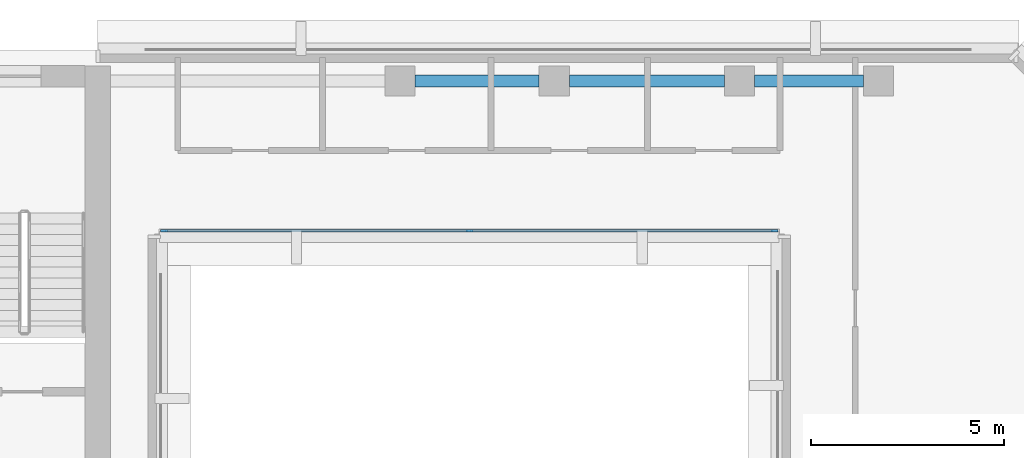
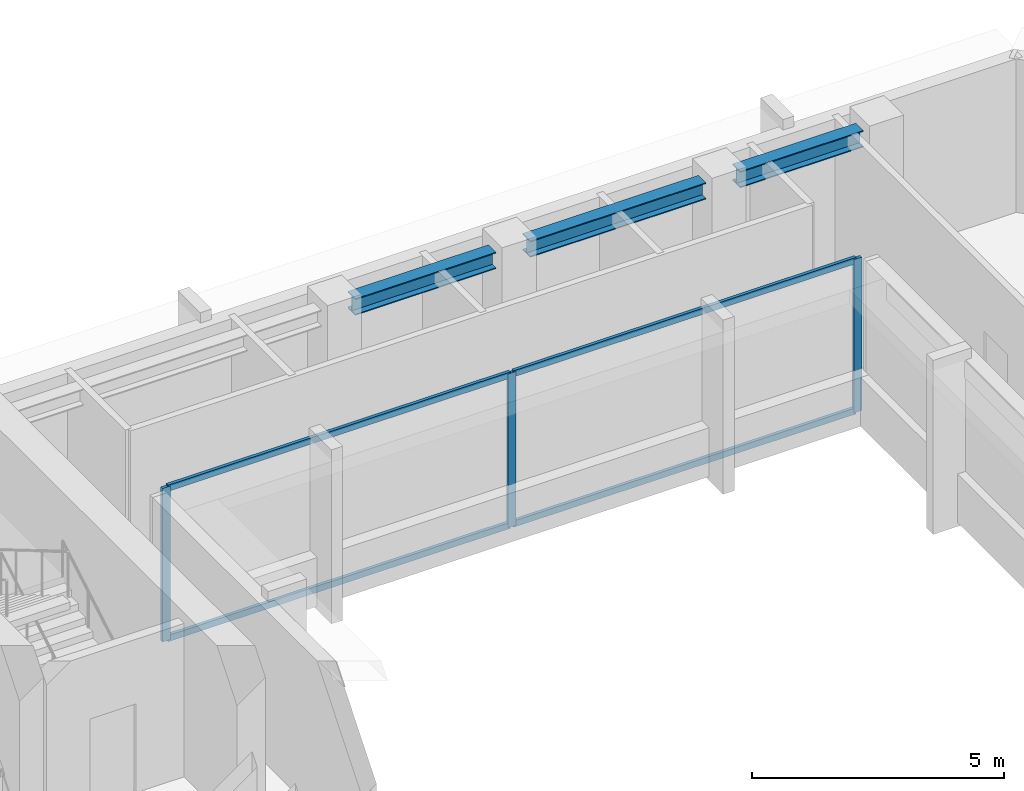
# One storey, part 4 of 12: 7 members, 3 beams, 1 element without a shape of its own.
"""IFC4 building model written with IfcOpenShell, lengths in metres."""

import ifcopenshell
import ifcopenshell.guid

model = None  # the IFC model being written
_history = None  # IfcOwnerHistory: only IFC2X3 demands one
_inside = {}  # id of a spatial element -> (the spatial element, [elements in it])
_under = {}  # id of a project, library or spatial element -> (it, [spatial elements below it])
_declared = {}  # id of a project -> (the project, [libraries it declares])
_typed = {}  # id of a type object -> (the type object, [elements of that type])
_made_of = {}  # id of a material, layer set ... -> (it, [elements and type objects made of it])


def new_model(schema):
    """Start an empty IFC model of exactly this schema.

    Asked for "IFC4X3", IfcOpenShell would pick the latest addendum, in which some entities
    have other attributes; the version numbers below select the first issue.
    IFC2X3 requires an IfcOwnerHistory on every rooted entity: one is made here for all.
    """
    global model, _history
    if schema == "IFC4X3":
        model = ifcopenshell.file(schema_version=(4, 3, 0, 0))
    else:
        model = ifcopenshell.file(schema=schema)
    _inside.clear()
    _under.clear()
    _declared.clear()
    _typed.clear()
    _made_of.clear()
    _history = None
    if model.schema == "IFC2X3":
        org = make("IfcOrganization", Name="unknown")
        user = make(
            "IfcPersonAndOrganization",
            ThePerson=make("IfcPerson", FamilyName="unknown"),
            TheOrganization=org,
        )
        app = make(
            "IfcApplication",
            ApplicationDeveloper=org,
            Version="unknown",
            ApplicationFullName="unknown",
            ApplicationIdentifier="unknown",
        )
        _history = make(
            "IfcOwnerHistory",
            OwningUser=user,
            OwningApplication=app,
            ChangeAction="ADDED",
            CreationDate=0,
        )
    return model


def make(cls, **values):
    """One entity of the class cls with the attributes given. An attribute that is None is left unset."""
    return model.create_entity(
        cls, **{name: value for name, value in values.items() if value is not None}
    )


def rooted(cls, **values):
    """An entity with a GlobalId (a new one), such as an element, a storey or a relation."""
    return make(cls, GlobalId=ifcopenshell.guid.new(), OwnerHistory=_history, **values)


def si_unit(unit_type, name, prefix=None):
    """IfcSIUnit, for example si_unit("LENGTHUNIT", "METRE", prefix="MILLI")."""
    return make("IfcSIUnit", UnitType=unit_type, Prefix=prefix, Name=name)


def assignment(units):
    """IfcUnitAssignment: the units of a project."""
    return None if units is None else make("IfcUnitAssignment", Units=units)


def point(xyz):
    """IfcCartesianPoint."""
    return None if xyz is None else make("IfcCartesianPoint", Coordinates=xyz)


def direction(xyz):
    """IfcDirection."""
    return None if xyz is None else make("IfcDirection", DirectionRatios=xyz)


def frame(location, z_axis=None, x_axis=None):
    """IfcAxis2Placement3D, a coordinate frame: its origin and axes. An axis left out is left unset."""
    return make(
        "IfcAxis2Placement3D",
        Location=point(location),
        Axis=direction(z_axis),
        RefDirection=direction(x_axis),
    )


def frame_2d(location, x_axis=None):
    """IfcAxis2Placement2D, a coordinate frame in the plane: its origin and x axis."""
    return make(
        "IfcAxis2Placement2D", Location=point(location), RefDirection=direction(x_axis)
    )


def origin():
    """The frame at (0, 0, 0) with its axes left unset."""
    return frame((0.0, 0.0, 0.0))


def origin_2d():
    """The frame at (0, 0) in the plane with its x axis left unset."""
    return frame_2d((0.0, 0.0))


def place(relative_to, where):
    """IfcLocalPlacement: puts the frame where relative to a parent placement (None: the world)."""
    return make(
        "IfcLocalPlacement", PlacementRelTo=relative_to, RelativePlacement=where
    )


def context(
    kind, dimensions, precision=None, world=None, true_north=None, identifier=None
):
    """IfcGeometricRepresentationContext, for example the 3D "Model" context."""
    return make(
        "IfcGeometricRepresentationContext",
        ContextIdentifier=identifier,
        ContextType=kind,
        CoordinateSpaceDimension=dimensions,
        Precision=precision,
        WorldCoordinateSystem=world,
        TrueNorth=true_north,
    )


def subcontext(parent, identifier, kind, view, scale=None):
    """IfcGeometricRepresentationSubContext, for example "Body" below "Model"."""
    return make(
        "IfcGeometricRepresentationSubContext",
        ContextIdentifier=identifier,
        ContextType=kind,
        ParentContext=parent,
        TargetScale=scale,
        TargetView=view,
    )


def project(units=None, contexts=None):
    """IfcProject with its units and contexts."""
    return rooted(
        "IfcProject",
        Name="project",
        RepresentationContexts=contexts,
        UnitsInContext=assignment(units),
    )


def spatial(cls, under=None, at=None, **own):
    """A site, building, storey or space (cls), placed at a placement, below another one or the project."""
    s = rooted(cls, ObjectPlacement=at, **own)
    if under is not None:
        _under.setdefault(under.id(), (under, []))[1].append(s)
    return s


def profile(cls, at=None, kind="AREA", **sizes):
    """A parametric profile (cls). Its sizes go by their IFC names, for example OverallWidth=200.0."""
    return make(cls, ProfileType=kind, Position=at, **sizes)


def rectangle(**sizes):
    """IfcRectangleProfileDef."""
    return profile("IfcRectangleProfileDef", **sizes)


def i_section(**sizes):
    """IfcIShapeProfileDef."""
    return profile("IfcIShapeProfileDef", **sizes)


def extrude(swept, where, along, depth):
    """IfcExtrudedAreaSolid: the profile swept, set in the frame where, extruded along a direction by depth."""
    return make(
        "IfcExtrudedAreaSolid",
        SweptArea=swept,
        Position=where,
        ExtrudedDirection=direction(along),
        Depth=depth,
    )


def shape(context_of_items, identifier, shape_type, items):
    """IfcShapeRepresentation: the items that make up one representation, for example the "Body"."""
    return make(
        "IfcShapeRepresentation",
        ContextOfItems=context_of_items,
        RepresentationIdentifier=identifier,
        RepresentationType=shape_type,
        Items=items,
    )


def material(Name=None, Category=None):
    """IfcMaterial."""
    return make("IfcMaterial", Name=Name, Category=Category)


def layer(
    of_material, thickness, ventilated=None, Name=None, Category=None, Priority=None
):
    """IfcMaterialLayer: one layer of a wall or slab, of a material (None: an air gap)."""
    return make(
        "IfcMaterialLayer",
        Material=of_material,
        LayerThickness=thickness,
        IsVentilated=ventilated,
        Name=Name,
        Category=Category,
        Priority=Priority,
    )


def layer_set(layers, Name=None):
    """IfcMaterialLayerSet."""
    return make("IfcMaterialLayerSet", MaterialLayers=layers, LayerSetName=Name)


def material_profile(
    of_material, cross_section, Name=None, Category=None, Priority=None
):
    """IfcMaterialProfile: a cross section and its material."""
    return make(
        "IfcMaterialProfile",
        Name=Name,
        Material=of_material,
        Profile=cross_section,
        Priority=Priority,
        Category=Category,
    )


def profile_set(profiles, Name=None, composite=None):
    """IfcMaterialProfileSet."""
    return make(
        "IfcMaterialProfileSet",
        Name=Name,
        MaterialProfiles=profiles,
        CompositeProfile=composite,
    )


def made_of(thing, what):
    """Note that an element or type object is made of a material, layer set ...; save() writes the relation."""
    if what is not None:
        _made_of.setdefault(what.id(), (what, []))[1].append(thing)
    return thing


def type_object(cls, material=None, **own):
    """A type object (cls), such as IfcWallType, which elements share."""
    return made_of(rooted(cls, **own), material)


def element(
    cls,
    number,
    at=None,
    inside=None,
    cuts=None,
    type_object=None,
    material=None,
    context=None,
    identifier="Body",
    shape_type=None,
    held_by="IfcProductDefinitionShape",
    body=None,
    shapes=None,
    **own,
):
    """One element of the class cls, such as IfcWall. Its Tag is "e" and its number.

    at: its placement. inside: the storey or other place that contains it. cuts: it is an
    opening in that element (IfcRelVoidsElement). A single representation is given by context,
    identifier, shape_type and body (its items); several are given by shapes. held_by: the class
    of the entity that holds the representations. save() writes the other relations.
    """
    e = rooted(cls, Tag="e%d" % number, ObjectPlacement=at, **own)
    if body is not None:
        shapes = [shape(context, identifier, shape_type, body)]
    if shapes is not None:
        e.Representation = make(held_by, Representations=shapes)
    if inside is not None:
        _inside.setdefault(inside.id(), (inside, []))[1].append(e)
    if cuts is not None:
        rooted(
            "IfcRelVoidsElement", RelatingBuildingElement=cuts, RelatedOpeningElement=e
        )
    if type_object is not None:
        _typed.setdefault(type_object.id(), (type_object, []))[1].append(e)
    return made_of(e, material)


def aggregate(whole, parts):
    """IfcRelAggregates: a whole, such as a stair, and the parts it consists of."""
    return rooted("IfcRelAggregates", RelatingObject=whole, RelatedObjects=parts)


def save(model, path):
    """Write the relations noted so far, then the file.

    IfcRelAggregates (storeys below a building ...), IfcRelContainedInSpatialStructure (elements
    in a storey), IfcRelDefinesByType, IfcRelAssociatesMaterial and IfcRelDeclares: one each for
    every whole, place, type object, material and project.
    """
    for whole, parts in _under.values():
        aggregate(whole, parts)
    for where, things in _inside.values():
        rooted(
            "IfcRelContainedInSpatialStructure",
            RelatedElements=things,
            RelatingStructure=where,
        )
    for kind, things in _typed.values():
        rooted("IfcRelDefinesByType", RelatedObjects=things, RelatingType=kind)
    for what, things in _made_of.values():
        rooted("IfcRelAssociatesMaterial", RelatedObjects=things, RelatingMaterial=what)
    for by, libraries in _declared.values():
        rooted("IfcRelDeclares", RelatingContext=by, RelatedDefinitions=libraries)
    model.write(path)


model = new_model("IFC4")

# Units and contexts
model_context = context("Model", 3, precision=1e-05, world=origin(), true_north=direction((0.0, 1.0)))
body_context = subcontext(model_context, "Body", "Model", "MODEL_VIEW")
ifc_project = project(units=[si_unit("LENGTHUNIT", "METRE"), si_unit("AREAUNIT", "SQUARE_METRE"), si_unit("VOLUMEUNIT", "CUBIC_METRE"), si_unit("PLANEANGLEUNIT", "RADIAN"), si_unit("MASSUNIT", "GRAM", prefix="KILO")], contexts=[model_context])

# Site, building, storey
site_placement = place(None, origin())
site = spatial("IfcSite", under=ifc_project, at=site_placement, CompositionType="ELEMENT")
building_placement = place(site_placement, origin())
building = spatial("IfcBuilding", under=site, at=building_placement, Name="Kefirva Bronze Tower", CompositionType="ELEMENT")
storey_placement = place(building_placement, frame((0.0, 0.0, 235.6201171875)))
storey = spatial("IfcBuildingStorey", under=building, at=storey_placement, Name="L57", CompositionType="ELEMENT", Elevation=235.6201171875)

# Curtain wall, members
ifc_material_1 = material(Name="Bronze anodised aluminium", Category="aluminium")
ifc_layer = layer(ifc_material_1, 0.179931640625, Name="Bronze anodised aluminium")
ifc_layer_set = layer_set([ifc_layer], Name="Bronze anodised aluminium")
curtain_wall_type = type_object("IfcCurtainWallType", Name="Unitised Bronze Ribbon Curtain Wall Zone 3", PredefinedType="USERDEFINED", material=ifc_layer_set)
curtain_wall_placement = place(storey_placement, origin())
curtain_wall = element("IfcCurtainWall", 1, at=curtain_wall_placement, inside=storey, type_object=curtain_wall_type, Name="L57 Curtain Wall 2", ObjectType="UNITISED CURTAIN WALL", PredefinedType="USERDEFINED")
ifc_material_profile_1 = material_profile(ifc_material_1, rectangle(XDim=0.074951171875, YDim=0.179931640625, at=origin_2d()), Name="ALU 75x180")
ifc_profile_set_1 = profile_set([ifc_material_profile_1], Name="Bronze anodised aluminium")
member_type_1 = type_object("IfcMemberType", Name="Bronze Mullion 75x180", PredefinedType="MULLION", material=ifc_profile_set_1)
member_1_placement = place(storey_placement, frame((25.092529296875, 41.320068359375, 0.0), z_axis=(0.0, 0.0, 1.0), x_axis=(0.0, 1.0, 0.0)))
member_1 = element("IfcMember", 2, at=member_1_placement, type_object=member_type_1, Name="CW-03 mullion 1", PredefinedType="MULLION", context=body_context, shape_type="SweptSolid", body=[
    extrude(rectangle(XDim=0.074951171875, YDim=0.179931640625, at=origin_2d()), origin(), (0.0, 0.0, 1.0), 3.7099609375),
])
member_2_placement = place(storey_placement, frame((33.0, 41.320068359375, 0.0), z_axis=(0.0, 0.0, 1.0), x_axis=(0.0, 1.0, 0.0)))
member_2 = element("IfcMember", 3, at=member_2_placement, type_object=member_type_1, Name="CW-03 mullion 2", PredefinedType="MULLION", context=body_context, shape_type="SweptSolid", body=[
    extrude(rectangle(XDim=0.074951171875, YDim=0.179931640625, at=origin_2d()), origin(), (0.0, 0.0, 1.0), 3.7099609375),
])
member_3_placement = place(storey_placement, frame((40.907470703125, 41.320068359375, 0.0), z_axis=(0.0, 0.0, 1.0), x_axis=(0.0, 1.0, 0.0)))
member_3 = element("IfcMember", 4, at=member_3_placement, type_object=member_type_1, Name="CW-03 mullion 3", PredefinedType="MULLION", context=body_context, shape_type="SweptSolid", body=[
    extrude(rectangle(XDim=0.074951171875, YDim=0.179931640625, at=origin_2d()), origin(), (0.0, 0.0, 1.0), 3.7099609375),
])
ifc_material_profile_2 = material_profile(ifc_material_1, rectangle(XDim=0.074951171875, YDim=0.14990234375, at=origin_2d()), Name="ALU 75x150")
ifc_profile_set_2 = profile_set([ifc_material_profile_2], Name="Bronze anodised aluminium")
member_type_2 = type_object("IfcMemberType", Name="Bronze Transom 75x150", PredefinedType="USERDEFINED", material=ifc_profile_set_2)
member_4_placement = place(storey_placement, frame((25.1298828125, 41.320068359375, 0.037353515625), z_axis=(1.0, 0.0, 0.0), x_axis=(0.0, 1.0, 0.0)))
member_4 = element("IfcMember", 5, at=member_4_placement, type_object=member_type_2, Name="CW-03 transom 1.1", ObjectType="TRANSOM", PredefinedType="USERDEFINED", context=body_context, shape_type="SweptSolid", body=[
    extrude(rectangle(XDim=0.074951171875, YDim=0.14990234375, at=origin_2d()), origin(), (0.0, 0.0, 1.0), 7.83251953125),
])
member_5_placement = place(storey_placement, frame((25.1298828125, 41.320068359375, 3.67236328125), z_axis=(1.0, 0.0, 0.0), x_axis=(0.0, 1.0, 0.0)))
member_5 = element("IfcMember", 6, at=member_5_placement, type_object=member_type_2, Name="CW-03 transom 1.2", ObjectType="TRANSOM", PredefinedType="USERDEFINED", context=body_context, shape_type="SweptSolid", body=[
    extrude(rectangle(XDim=0.074951171875, YDim=0.14990234375, at=origin_2d()), origin(), (0.0, 0.0, 1.0), 7.83251953125),
])
member_6_placement = place(storey_placement, frame((33.03759765625, 41.320068359375, 0.037353515625), z_axis=(1.0, 0.0, 0.0), x_axis=(0.0, 1.0, 0.0)))
member_6 = element("IfcMember", 7, at=member_6_placement, type_object=member_type_2, Name="CW-03 transom 2.1", ObjectType="TRANSOM", PredefinedType="USERDEFINED", context=body_context, shape_type="SweptSolid", body=[
    extrude(rectangle(XDim=0.074951171875, YDim=0.14990234375, at=origin_2d()), origin(), (0.0, 0.0, 1.0), 7.83251953125),
])
member_7_placement = place(storey_placement, frame((33.03759765625, 41.320068359375, 3.67236328125), z_axis=(1.0, 0.0, 0.0), x_axis=(0.0, 1.0, 0.0)))
member_7 = element("IfcMember", 8, at=member_7_placement, type_object=member_type_2, Name="CW-03 transom 2.2", ObjectType="TRANSOM", PredefinedType="USERDEFINED", context=body_context, shape_type="SweptSolid", body=[
    extrude(rectangle(XDim=0.074951171875, YDim=0.14990234375, at=origin_2d()), origin(), (0.0, 0.0, 1.0), 7.83251953125),
])
aggregate(curtain_wall, [member_1, member_2, member_3, member_4, member_5, member_6, member_7])

# Beams
ifc_material_2 = material(Name="Steel S355", Category="steel")
ifc_material_profile_3 = material_profile(ifc_material_2, i_section(OverallWidth=0.300048828125, OverallDepth=0.39990234375, WebThickness=0.013427734375, FlangeThickness=0.02392578125, at=origin_2d()), Name="HEB 400")
ifc_profile_set_3 = profile_set([ifc_material_profile_3], Name="Steel S355")
beam_type = type_object("IfcBeamType", Name="Steel Spandrel HEB 400 Ext", PredefinedType="SPANDREL", material=ifc_profile_set_3)
beam_1_placement = place(storey_placement, frame((31.590087890625, 45.199951171875, 3.509765625), z_axis=(1.0, 0.0, 0.0), x_axis=(0.0, 1.0, 0.0)))
element("IfcBeam", 9, at=beam_1_placement, inside=storey, type_object=beam_type, Name="L57 BM-L57-EW-31-452", PredefinedType="SPANDREL", context=body_context, shape_type="SweptSolid", body=[
    extrude(i_section(OverallWidth=0.300048828125, OverallDepth=0.39990234375, WebThickness=0.013427734375, FlangeThickness=0.02392578125, at=origin_2d()), origin(), (0.0, 0.0, 1.0), 3.219970703125),
])
beam_2_placement = place(storey_placement, frame((35.590087890625, 45.199951171875, 3.509765625), z_axis=(1.0, 0.0, 0.0), x_axis=(0.0, 1.0, 0.0)))
element("IfcBeam", 10, at=beam_2_placement, inside=storey, type_object=beam_type, Name="L57 BM-L57-EW-35-452", PredefinedType="SPANDREL", context=body_context, shape_type="SweptSolid", body=[
    extrude(i_section(OverallWidth=0.300048828125, OverallDepth=0.39990234375, WebThickness=0.013427734375, FlangeThickness=0.02392578125, at=origin_2d()), origin(), (0.0, 0.0, 1.0), 4.02001953125),
])
beam_3_placement = place(storey_placement, frame((40.389892578125, 45.199951171875, 3.509765625), z_axis=(1.0, 0.0, 0.0), x_axis=(0.0, 1.0, 0.0)))
element("IfcBeam", 11, at=beam_3_placement, inside=storey, type_object=beam_type, Name="L57 BM-L57-EW-40-452", PredefinedType="SPANDREL", context=body_context, shape_type="SweptSolid", body=[
    extrude(i_section(OverallWidth=0.300048828125, OverallDepth=0.39990234375, WebThickness=0.013427734375, FlangeThickness=0.02392578125, at=origin_2d()), origin(), (0.0, 0.0, 1.0), 2.820068359375),
])

save(model, "model.ifc")
